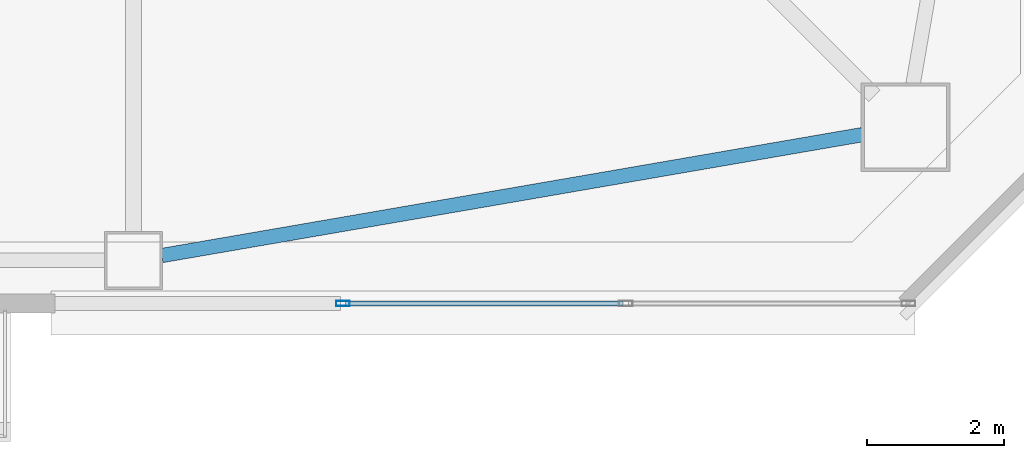
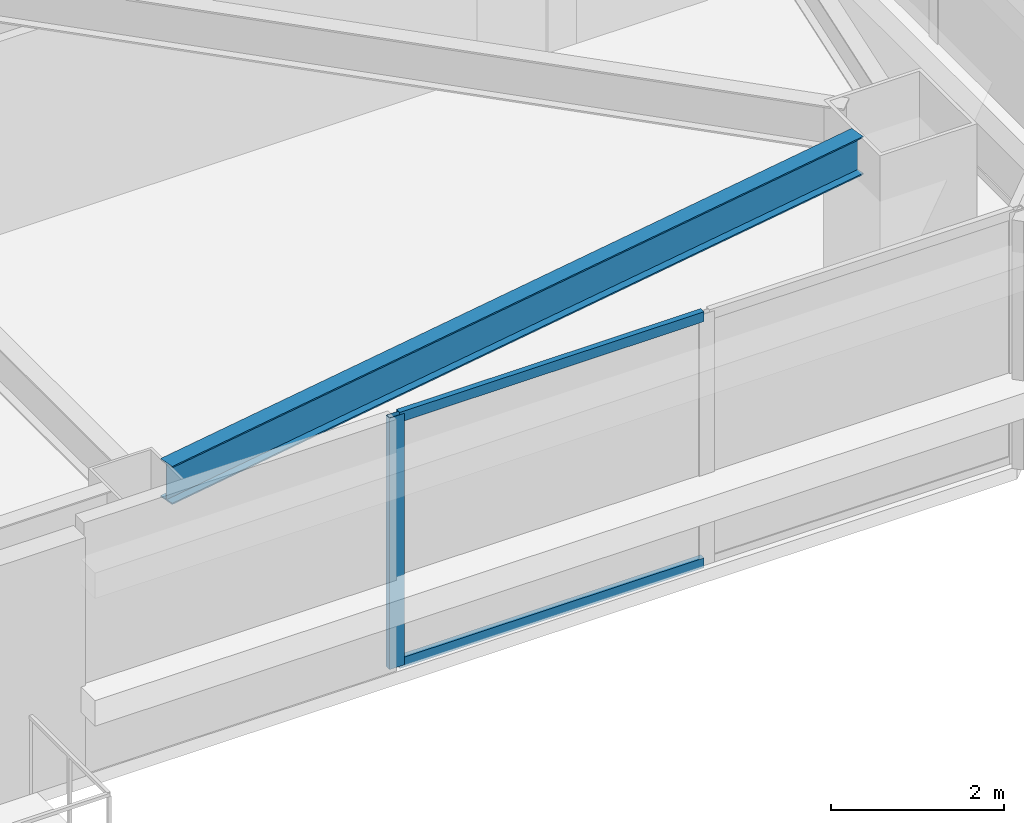
# One storey, part 6 of 48: 3 members, 1 beam, 1 element without a shape of its own.
"""IFC4 building model written with IfcOpenShell, lengths in metres."""

from ifc_helpers import new_model, si_unit, direction, frame, origin, origin_2d, place, context, subcontext, project, spatial, hollow_rectangle, i_section, extrude, material, material_profile, profile_set, type_object, element, aggregate, save


model = new_model("IFC4")

# Units and contexts
model_context = context("Model", 3, precision=1e-05, world=origin(), true_north=direction((0.0, 1.0)))
body_context = subcontext(model_context, "Body", "Model", "MODEL_VIEW")
ifc_project = project(units=[si_unit("LENGTHUNIT", "METRE"), si_unit("AREAUNIT", "SQUARE_METRE"), si_unit("VOLUMEUNIT", "CUBIC_METRE"), si_unit("PLANEANGLEUNIT", "RADIAN"), si_unit("MASSUNIT", "GRAM", prefix="KILO")], contexts=[model_context])

# Site, building, storey
site_placement = place(None, origin())
site = spatial("IfcSite", under=ifc_project, at=site_placement, CompositionType="ELEMENT")
building_placement = place(site_placement, origin())
building = spatial("IfcBuilding", under=site, at=building_placement, Name="Tashvorn Skyway Center", CompositionType="ELEMENT")
storey_placement = place(building_placement, frame((0.0, 0.0, 125.050048828125)))
storey = spatial("IfcBuildingStorey", under=building, at=storey_placement, Name="L33", CompositionType="ELEMENT", Elevation=125.050048828125)

# Beam
ifc_material_1 = material(Name="Steel ASTM A992 Grade 50", Category="steel")
ifc_material_profile_1 = material_profile(ifc_material_1, i_section(OverallWidth=0.2109375, OverallDepth=0.5390625, WebThickness=0.01171875, FlangeThickness=0.018798828125, at=origin_2d()), Name="W21X73")
ifc_profile_set_1 = profile_set([ifc_material_profile_1], Name="Steel ASTM A992 Grade 50")
beam_type = type_object("IfcBeamType", Name="BM-SPANDREL-W21X73", PredefinedType="SPANDREL", material=ifc_profile_set_1)
beam_placement = place(storey_placement, frame((47.81396484375, 13.42138671875, 3.100341796875), z_axis=(0.985432458462, 0.170067250846, 0.0), x_axis=(-0.170067250846, 0.985432458462, 0.0)))
element("IfcBeam", 1, at=beam_placement, inside=storey, type_object=beam_type, Name="Tower 1 L33 Spandrel Beam 03", PredefinedType="SPANDREL", context=body_context, shape_type="SweptSolid", body=[
    extrude(i_section(OverallWidth=0.2109375, OverallDepth=0.5390625, WebThickness=0.01171875, FlangeThickness=0.018798828125, at=origin_2d()), origin(), (0.0, 0.0, 1.0), 10.402099609375),
])

# Curtain wall, members
ifc_material_2 = material(Name="Thermally broken bronze-anodized aluminium 6063-T6", Category="aluminium")
curtain_wall_type = type_object("IfcCurtainWallType", Name="CW-CW-Z3", PredefinedType="NOTDEFINED", material=ifc_material_2)
curtain_wall_placement = place(storey_placement, origin())
curtain_wall = element("IfcCurtainWall", 2, at=curtain_wall_placement, inside=storey, type_object=curtain_wall_type, Name="Tower 1 L33 South Curtain Wall L Glazing Group 1", PredefinedType="NOTDEFINED")
ifc_material_profile_2 = material_profile(ifc_material_2, hollow_rectangle(XDim=0.074951171875, YDim=0.199951171875, WallThickness=0.00439453125, at=origin_2d()), Name="ALU-MULL-75x200")
ifc_profile_set_2 = profile_set([ifc_material_profile_2], Name="Thermally broken bronze-anodized aluminium 6063-T6")
member_type_1 = type_object("IfcMemberType", Name="CWM-CW-Z3", PredefinedType="MULLION", material=ifc_profile_set_2)
member_1_placement = place(storey_placement, frame((50.464111328125, 12.719970703125, 0.0), z_axis=(0.0, 0.0, 1.0), x_axis=(0.0, -1.0, 0.0)))
member_1 = element("IfcMember", 3, at=member_1_placement, type_object=member_type_1, Name="CW-Z3 mullion 3", PredefinedType="MULLION", context=body_context, shape_type="SweptSolid", body=[
    extrude(hollow_rectangle(XDim=0.074951171875, YDim=0.199951171875, WallThickness=0.00439453125, at=origin_2d()), origin(), (0.0, 0.0, 1.0), 3.550048828125),
])
ifc_material_profile_3 = material_profile(ifc_material_2, hollow_rectangle(XDim=0.074951171875, YDim=0.139892578125, WallThickness=0.004150390625, at=origin_2d()), Name="ALU-TRAN-75x140")
ifc_profile_set_3 = profile_set([ifc_material_profile_3], Name="Thermally broken bronze-anodized aluminium 6063-T6")
member_type_2 = type_object("IfcMemberType", Name="CWT-CW-Z3", PredefinedType="USERDEFINED", material=ifc_profile_set_3)
member_2_placement = place(storey_placement, frame((54.56591796875, 12.719970703125, 0.037353515625), z_axis=(-1.0, 0.0, 0.0), x_axis=(0.0, -1.0, 0.0)))
member_2 = element("IfcMember", 4, at=member_2_placement, type_object=member_type_2, Name="CW-Z3 transom 2.1", ObjectType="TRANSOM", PredefinedType="USERDEFINED", context=body_context, shape_type="SweptSolid", body=[
    extrude(hollow_rectangle(XDim=0.074951171875, YDim=0.139892578125, WallThickness=0.004150390625, at=origin_2d()), origin(), (0.0, 0.0, 1.0), 4.064208984375),
])
member_3_placement = place(storey_placement, frame((54.56591796875, 12.719970703125, 3.512451171875), z_axis=(-1.0, 0.0, 0.0), x_axis=(0.0, -1.0, 0.0)))
member_3 = element("IfcMember", 5, at=member_3_placement, type_object=member_type_2, Name="CW-Z3 transom 2.2", ObjectType="TRANSOM", PredefinedType="USERDEFINED", context=body_context, shape_type="SweptSolid", body=[
    extrude(hollow_rectangle(XDim=0.074951171875, YDim=0.139892578125, WallThickness=0.004150390625, at=origin_2d()), origin(), (0.0, 0.0, 1.0), 4.064208984375),
])
aggregate(curtain_wall, [member_1, member_2, member_3])

save(model, "model.ifc")
